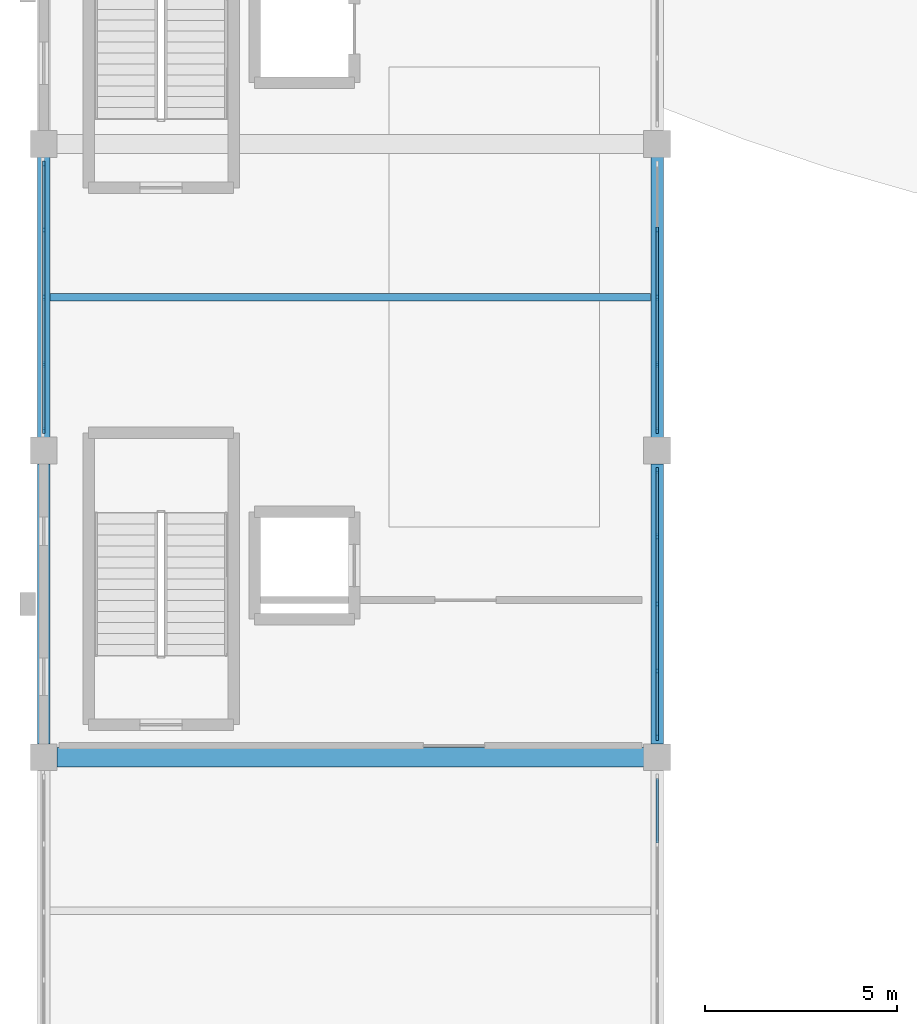
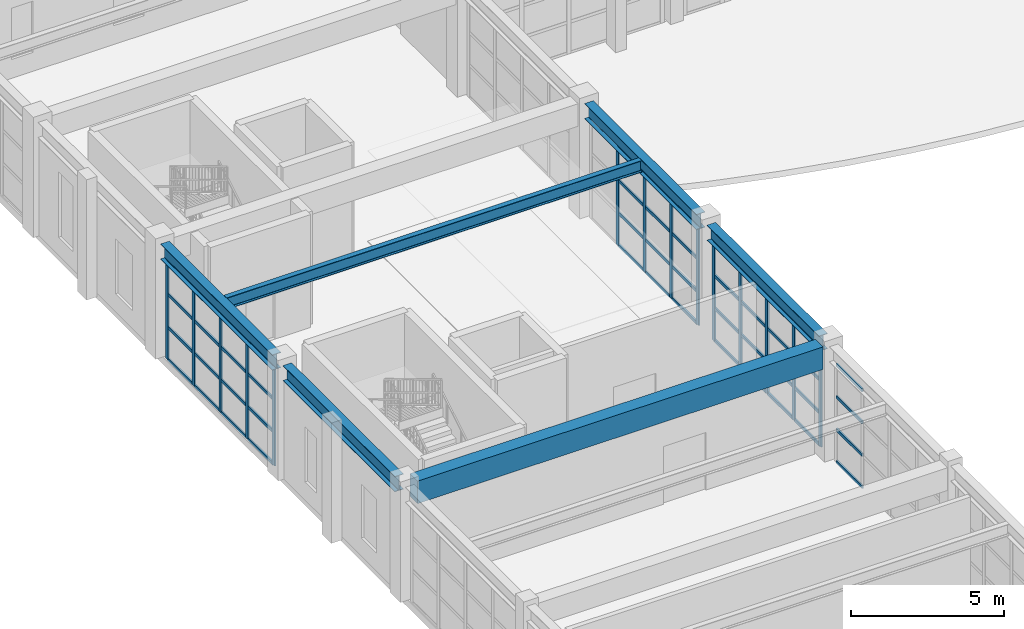
# One storey, part 4 of 59: 62 members, 6 beams, 4 elements without a shape of their own.
"""IFC4 building model written with IfcOpenShell, lengths in metres."""

from ifc_helpers import new_model, si_unit, direction, frame, origin, origin_2d, place, context, subcontext, project, spatial, rectangle, i_section, extrude, material, material_profile, profile_set, type_object, element, aggregate, save


model = new_model("IFC4")

# Units and contexts
model_context = context("Model", 3, precision=1e-05, world=origin(), true_north=direction((0.0, 1.0)))
body_context = subcontext(model_context, "Body", "Model", "MODEL_VIEW")
ifc_project = project(units=[si_unit("LENGTHUNIT", "METRE"), si_unit("AREAUNIT", "SQUARE_METRE"), si_unit("VOLUMEUNIT", "CUBIC_METRE"), si_unit("PLANEANGLEUNIT", "RADIAN"), si_unit("MASSUNIT", "GRAM", prefix="KILO")], contexts=[model_context])

# Site, building, storey
site_placement = place(None, origin())
site = spatial("IfcSite", under=ifc_project, at=site_placement, CompositionType="ELEMENT")
building_placement = place(site_placement, origin())
building = spatial("IfcBuilding", under=site, at=building_placement, Name="Serraluz Foothill Cableway Terminal", CompositionType="ELEMENT")
storey_placement = place(building_placement, frame((0.0, 0.0, 4.800048828125)))
storey = spatial("IfcBuildingStorey", under=building, at=storey_placement, Name="L01", CompositionType="ELEMENT", Elevation=4.800048828125)

# Beams
ifc_material_1 = material(Name="Concrete C35/45 (f'c 35 MPa)", Category="concrete")
ifc_material_profile_1 = material_profile(ifc_material_1, rectangle(XDim=0.5, YDim=0.89990234375, at=origin_2d()), Name="RC 500x900")
ifc_profile_set_1 = profile_set([ifc_material_profile_1], Name="Concrete C35/45 (f'c 35 MPa)")
beam_type_1 = type_object("IfcBeamType", Name="TYP-BM-RC500X900", PredefinedType="BEAM", material=ifc_profile_set_1)
beam_1_placement = place(storey_placement, frame((0.345947265625, 32.0, 4.08984375), z_axis=(1.0, 0.0, 0.0), x_axis=(0.0, 1.0, 0.0)))
element("IfcBeam", 1, at=beam_1_placement, inside=storey, type_object=beam_type_1, Name="Primary Girder BM-X-L01-0193", PredefinedType="BEAM", context=body_context, shape_type="SweptSolid", body=[
    extrude(rectangle(XDim=0.5, YDim=0.89990234375, at=origin_2d()), origin(), (0.0, 0.0, 1.0), 15.30810546875),
])
ifc_material_2 = material(Name="Steel ASTM A992 Grade 50", Category="steel")
ifc_material_profile_2 = material_profile(ifc_material_2, i_section(OverallWidth=0.324951171875, OverallDepth=0.615966796875, WebThickness=0.013916015625, FlangeThickness=0.021484375, FilletRadius=0.01806640625, at=origin_2d()), Name="W24X117")
ifc_profile_set_2 = profile_set([ifc_material_profile_2], Name="Steel ASTM A992 Grade 50")
beam_type_2 = type_object("IfcBeamType", Name="TYP-BM-W24X117", PredefinedType="BEAM", material=ifc_profile_set_2)
for number, where, z_axis, x_axis, name in (
    (2, (0.0, 32.345947265625, 4.23193359375), (0.0, 1.0, 0.0), (-1.0, 0.0, 0.0), "Transverse Girder BM-Y-L01-0243"),
    (3, (0.0, 40.345947265625, 4.23193359375), (0.0, 1.0, 0.0), (-1.0, 0.0, 0.0), "Transverse Girder BM-Y-L01-0244"),
    (4, (16.0, 32.345947265625, 4.23193359375), (0.0, 1.0, 0.0), (-1.0, 0.0, 0.0), "Transverse Girder BM-Y-L01-0249"),
    (5, (16.0, 40.345947265625, 4.23193359375), (0.0, 1.0, 0.0), (-1.0, 0.0, 0.0), "Transverse Girder BM-Y-L01-0250"),
):
    element("IfcBeam", number, at=place(storey_placement, frame(where, z_axis=z_axis, x_axis=x_axis)), inside=storey, type_object=beam_type_2, Name=name, PredefinedType="BEAM", context=body_context, shape_type="SweptSolid", body=[
        extrude(i_section(OverallWidth=0.324951171875, OverallDepth=0.615966796875, WebThickness=0.013916015625, FlangeThickness=0.021484375, FilletRadius=0.01806640625, at=origin_2d()), origin(), (0.0, 0.0, 1.0), 7.30810546875),
    ])

# Curtain wall, members
ifc_material_3 = material(Name="Architectural bronze alloy C28000", Category="aluminium")
curtain_wall_type_1 = type_object("IfcCurtainWallType", Name="TYP-CW-680X420", PredefinedType="NOTDEFINED", material=ifc_material_3)
curtain_wall_1_placement = place(storey_placement, origin())
curtain_wall_1 = element("IfcCurtainWall", 6, at=curtain_wall_1_placement, inside=storey, type_object=curtain_wall_type_1, Name="Ribbed Glazed Curtain Wall CW-V5E-L01-32", PredefinedType="NOTDEFINED")
ifc_material_profile_3 = material_profile(ifc_material_3, rectangle(XDim=0.06005859375, YDim=0.159912109375, at=origin_2d()), Name="ALU MULLION 60x160")
ifc_profile_set_3 = profile_set([ifc_material_profile_3], Name="Architectural bronze alloy C28000")
member_type_1 = type_object("IfcMemberType", Name="TYP-CW-MUL-60X160", PredefinedType="MULLION", material=ifc_profile_set_3)
member_1_placement = place(storey_placement, frame((16.0, 39.47998046875, 0.0), z_axis=(0.0, 0.0, 1.0), x_axis=(1.0, 0.0, 0.0)))
member_1 = element("IfcMember", 7, at=member_1_placement, type_object=member_type_1, Name="CW-13 mullion 1", PredefinedType="MULLION", context=body_context, shape_type="SweptSolid", body=[
    extrude(rectangle(XDim=0.06005859375, YDim=0.159912109375, at=origin_2d()), origin(), (0.0, 0.0, 1.0), 3.924072265625),
])
member_2_placement = place(storey_placement, frame((16.0, 37.7548828125, 0.0), z_axis=(0.0, 0.0, 1.0), x_axis=(1.0, 0.0, 0.0)))
member_2 = element("IfcMember", 8, at=member_2_placement, type_object=member_type_1, Name="CW-13 mullion 2", PredefinedType="MULLION", context=body_context, shape_type="SweptSolid", body=[
    extrude(rectangle(XDim=0.06005859375, YDim=0.159912109375, at=origin_2d()), origin(), (0.0, 0.0, 1.0), 3.924072265625),
])
member_3_placement = place(storey_placement, frame((16.0, 36.0, 0.0), z_axis=(0.0, 0.0, 1.0), x_axis=(1.0, 0.0, 0.0)))
member_3 = element("IfcMember", 9, at=member_3_placement, type_object=member_type_1, Name="CW-13 mullion 3", PredefinedType="MULLION", context=body_context, shape_type="SweptSolid", body=[
    extrude(rectangle(XDim=0.06005859375, YDim=0.159912109375, at=origin_2d()), origin(), (0.0, 0.0, 1.0), 3.924072265625),
])
member_4_placement = place(storey_placement, frame((16.0, 34.2451171875, 0.0), z_axis=(0.0, 0.0, 1.0), x_axis=(1.0, 0.0, 0.0)))
member_4 = element("IfcMember", 10, at=member_4_placement, type_object=member_type_1, Name="CW-13 mullion 4", PredefinedType="MULLION", context=body_context, shape_type="SweptSolid", body=[
    extrude(rectangle(XDim=0.06005859375, YDim=0.159912109375, at=origin_2d()), origin(), (0.0, 0.0, 1.0), 3.924072265625),
])
member_5_placement = place(storey_placement, frame((16.0, 32.52001953125, 0.0), z_axis=(0.0, 0.0, 1.0), x_axis=(1.0, 0.0, 0.0)))
member_5 = element("IfcMember", 11, at=member_5_placement, type_object=member_type_1, Name="CW-13 mullion 5", PredefinedType="MULLION", context=body_context, shape_type="SweptSolid", body=[
    extrude(rectangle(XDim=0.06005859375, YDim=0.159912109375, at=origin_2d()), origin(), (0.0, 0.0, 1.0), 3.924072265625),
])

curtain_wall_type_2 = type_object("IfcCurtainWallType", Name="TYP-CW-520X440", PredefinedType="NOTDEFINED", material=ifc_material_3)
curtain_wall_2_placement = place(storey_placement, origin())
curtain_wall_2 = element("IfcCurtainWall", 12, at=curtain_wall_2_placement, inside=storey, type_object=curtain_wall_type_2, Name="Ribbed Glazed Curtain Wall CW-V5W-L01-40", PredefinedType="NOTDEFINED")
member_6_placement = place(storey_placement, frame((0.0, 40.52001953125, 0.0), z_axis=(0.0, 0.0, 1.0), x_axis=(-1.0, 0.0, 0.0)))
member_6 = element("IfcMember", 13, at=member_6_placement, type_object=member_type_1, Name="CW-08 mullion 1", PredefinedType="MULLION", context=body_context, shape_type="SweptSolid", body=[
    extrude(rectangle(XDim=0.06005859375, YDim=0.159912109375, at=origin_2d()), origin(), (0.0, 0.0, 1.0), 3.924072265625),
])
member_7_placement = place(storey_placement, frame((0.0, 42.2451171875, 0.0), z_axis=(0.0, 0.0, 1.0), x_axis=(-1.0, 0.0, 0.0)))
member_7 = element("IfcMember", 14, at=member_7_placement, type_object=member_type_1, Name="CW-08 mullion 2", PredefinedType="MULLION", context=body_context, shape_type="SweptSolid", body=[
    extrude(rectangle(XDim=0.06005859375, YDim=0.159912109375, at=origin_2d()), origin(), (0.0, 0.0, 1.0), 3.924072265625),
])
member_8_placement = place(storey_placement, frame((0.0, 44.0, 0.0), z_axis=(0.0, 0.0, 1.0), x_axis=(-1.0, 0.0, 0.0)))
member_8 = element("IfcMember", 15, at=member_8_placement, type_object=member_type_1, Name="CW-08 mullion 3", PredefinedType="MULLION", context=body_context, shape_type="SweptSolid", body=[
    extrude(rectangle(XDim=0.06005859375, YDim=0.159912109375, at=origin_2d()), origin(), (0.0, 0.0, 1.0), 3.924072265625),
])
member_9_placement = place(storey_placement, frame((0.0, 45.7548828125, 0.0), z_axis=(0.0, 0.0, 1.0), x_axis=(-1.0, 0.0, 0.0)))
member_9 = element("IfcMember", 16, at=member_9_placement, type_object=member_type_1, Name="CW-08 mullion 4", PredefinedType="MULLION", context=body_context, shape_type="SweptSolid", body=[
    extrude(rectangle(XDim=0.06005859375, YDim=0.159912109375, at=origin_2d()), origin(), (0.0, 0.0, 1.0), 3.924072265625),
])
member_10_placement = place(storey_placement, frame((0.0, 47.47998046875, 0.0), z_axis=(0.0, 0.0, 1.0), x_axis=(-1.0, 0.0, 0.0)))
member_10 = element("IfcMember", 17, at=member_10_placement, type_object=member_type_1, Name="CW-08 mullion 5", PredefinedType="MULLION", context=body_context, shape_type="SweptSolid", body=[
    extrude(rectangle(XDim=0.06005859375, YDim=0.159912109375, at=origin_2d()), origin(), (0.0, 0.0, 1.0), 3.924072265625),
])

curtain_wall_type_3 = type_object("IfcCurtainWallType", Name="TYP-CW-480X380", PredefinedType="NOTDEFINED", material=ifc_material_3)
curtain_wall_3_placement = place(storey_placement, origin())
curtain_wall_3 = element("IfcCurtainWall", 18, at=curtain_wall_3_placement, inside=storey, type_object=curtain_wall_type_3, Name="Ribbed Glazed Curtain Wall CW-V5E-L01-40", PredefinedType="NOTDEFINED")
member_11_placement = place(storey_placement, frame((16.0, 45.7548828125, 0.0), z_axis=(0.0, 0.0, 1.0), x_axis=(1.0, 0.0, 0.0)))
member_11 = element("IfcMember", 19, at=member_11_placement, type_object=member_type_1, Name="CW-14 mullion 2", PredefinedType="MULLION", context=body_context, shape_type="SweptSolid", body=[
    extrude(rectangle(XDim=0.06005859375, YDim=0.159912109375, at=origin_2d()), origin(), (0.0, 0.0, 1.0), 3.924072265625),
])
member_12_placement = place(storey_placement, frame((16.0, 44.0, 0.0), z_axis=(0.0, 0.0, 1.0), x_axis=(1.0, 0.0, 0.0)))
member_12 = element("IfcMember", 20, at=member_12_placement, type_object=member_type_1, Name="CW-14 mullion 3", PredefinedType="MULLION", context=body_context, shape_type="SweptSolid", body=[
    extrude(rectangle(XDim=0.06005859375, YDim=0.159912109375, at=origin_2d()), origin(), (0.0, 0.0, 1.0), 3.924072265625),
])
member_13_placement = place(storey_placement, frame((16.0, 42.2451171875, 0.0), z_axis=(0.0, 0.0, 1.0), x_axis=(1.0, 0.0, 0.0)))
member_13 = element("IfcMember", 21, at=member_13_placement, type_object=member_type_1, Name="CW-14 mullion 4", PredefinedType="MULLION", context=body_context, shape_type="SweptSolid", body=[
    extrude(rectangle(XDim=0.06005859375, YDim=0.159912109375, at=origin_2d()), origin(), (0.0, 0.0, 1.0), 3.924072265625),
])
member_14_placement = place(storey_placement, frame((16.0, 40.52001953125, 0.0), z_axis=(0.0, 0.0, 1.0), x_axis=(1.0, 0.0, 0.0)))
member_14 = element("IfcMember", 22, at=member_14_placement, type_object=member_type_1, Name="CW-14 mullion 5", PredefinedType="MULLION", context=body_context, shape_type="SweptSolid", body=[
    extrude(rectangle(XDim=0.06005859375, YDim=0.159912109375, at=origin_2d()), origin(), (0.0, 0.0, 1.0), 3.924072265625),
])

curtain_wall_type_4 = type_object("IfcCurtainWallType", Name="TYP-CW-640X440", PredefinedType="NOTDEFINED", material=ifc_material_3)
curtain_wall_4_placement = place(storey_placement, origin())
curtain_wall_4 = element("IfcCurtainWall", 23, at=curtain_wall_4_placement, inside=storey, type_object=curtain_wall_type_4, Name="Ribbed Glazed Curtain Wall CW-V5E-L01-24", PredefinedType="NOTDEFINED")
ifc_material_profile_4 = material_profile(ifc_material_3, rectangle(XDim=0.06005859375, YDim=0.1201171875, at=origin_2d()), Name="ALU TRANSOM 60x120")
ifc_profile_set_4 = profile_set([ifc_material_profile_4], Name="Architectural bronze alloy C28000")
member_type_2 = type_object("IfcMemberType", Name="TYP-CW-TRN-60X120", PredefinedType="USERDEFINED", material=ifc_profile_set_4)
member_15_placement = place(storey_placement, frame((16.0, 31.449951171875, 0.030029296875), z_axis=(0.0, -1.0, 0.0), x_axis=(1.0, 0.0, 0.0)))
member_15 = element("IfcMember", 24, at=member_15_placement, type_object=member_type_2, Name="CW-12 transom 1.1", ObjectType="TRANSOM", PredefinedType="USERDEFINED", context=body_context, shape_type="SweptSolid", body=[
    extrude(rectangle(XDim=0.06005859375, YDim=0.1201171875, at=origin_2d()), origin(), (0.0, 0.0, 1.0), 1.68359375),
])
member_16_placement = place(storey_placement, frame((16.0, 31.449951171875, 1.307861328125), z_axis=(0.0, -1.0, 0.0), x_axis=(1.0, 0.0, 0.0)))
member_16 = element("IfcMember", 25, at=member_16_placement, type_object=member_type_2, Name="CW-12 transom 1.2", ObjectType="TRANSOM", PredefinedType="USERDEFINED", context=body_context, shape_type="SweptSolid", body=[
    extrude(rectangle(XDim=0.06005859375, YDim=0.1201171875, at=origin_2d()), origin(), (0.0, 0.0, 1.0), 1.68359375),
])
member_17_placement = place(storey_placement, frame((16.0, 31.449951171875, 2.615966796875), z_axis=(0.0, -1.0, 0.0), x_axis=(1.0, 0.0, 0.0)))
member_17 = element("IfcMember", 26, at=member_17_placement, type_object=member_type_2, Name="CW-12 transom 1.3", ObjectType="TRANSOM", PredefinedType="USERDEFINED", context=body_context, shape_type="SweptSolid", body=[
    extrude(rectangle(XDim=0.06005859375, YDim=0.1201171875, at=origin_2d()), origin(), (0.0, 0.0, 1.0), 1.68359375),
])
member_18_placement = place(storey_placement, frame((16.0, 31.449951171875, 3.89404296875), z_axis=(0.0, -1.0, 0.0), x_axis=(1.0, 0.0, 0.0)))
member_18 = element("IfcMember", 27, at=member_18_placement, type_object=member_type_2, Name="CW-12 transom 1.4", ObjectType="TRANSOM", PredefinedType="USERDEFINED", context=body_context, shape_type="SweptSolid", body=[
    extrude(rectangle(XDim=0.06005859375, YDim=0.1201171875, at=origin_2d()), origin(), (0.0, 0.0, 1.0), 1.68359375),
])
aggregate(curtain_wall_4, [member_15, member_16, member_17, member_18])

# Member
member_19_placement = place(storey_placement, frame((16.0, 39.449951171875, 0.030029296875), z_axis=(0.0, -1.0, 0.0), x_axis=(1.0, 0.0, 0.0)))
member_19 = element("IfcMember", 28, at=member_19_placement, type_object=member_type_2, Name="CW-13 transom 1.1", ObjectType="TRANSOM", PredefinedType="USERDEFINED", context=body_context, shape_type="SweptSolid", body=[
    extrude(rectangle(XDim=0.06005859375, YDim=0.1201171875, at=origin_2d()), origin(), (0.0, 0.0, 1.0), 1.6650390625),
])

member_20_placement = place(storey_placement, frame((16.0, 39.449951171875, 1.307861328125), z_axis=(0.0, -1.0, 0.0), x_axis=(1.0, 0.0, 0.0)))
member_20 = element("IfcMember", 29, at=member_20_placement, type_object=member_type_2, Name="CW-13 transom 1.2", ObjectType="TRANSOM", PredefinedType="USERDEFINED", context=body_context, shape_type="SweptSolid", body=[
    extrude(rectangle(XDim=0.06005859375, YDim=0.1201171875, at=origin_2d()), origin(), (0.0, 0.0, 1.0), 1.6650390625),
])

member_21_placement = place(storey_placement, frame((16.0, 39.449951171875, 2.615966796875), z_axis=(0.0, -1.0, 0.0), x_axis=(1.0, 0.0, 0.0)))
member_21 = element("IfcMember", 30, at=member_21_placement, type_object=member_type_2, Name="CW-13 transom 1.3", ObjectType="TRANSOM", PredefinedType="USERDEFINED", context=body_context, shape_type="SweptSolid", body=[
    extrude(rectangle(XDim=0.06005859375, YDim=0.1201171875, at=origin_2d()), origin(), (0.0, 0.0, 1.0), 1.6650390625),
])

member_22_placement = place(storey_placement, frame((16.0, 39.449951171875, 3.89404296875), z_axis=(0.0, -1.0, 0.0), x_axis=(1.0, 0.0, 0.0)))
member_22 = element("IfcMember", 31, at=member_22_placement, type_object=member_type_2, Name="CW-13 transom 1.4", ObjectType="TRANSOM", PredefinedType="USERDEFINED", context=body_context, shape_type="SweptSolid", body=[
    extrude(rectangle(XDim=0.06005859375, YDim=0.1201171875, at=origin_2d()), origin(), (0.0, 0.0, 1.0), 1.6650390625),
])

member_23_placement = place(storey_placement, frame((16.0, 37.72509765625, 0.030029296875), z_axis=(0.0, -1.0, 0.0), x_axis=(1.0, 0.0, 0.0)))
member_23 = element("IfcMember", 32, at=member_23_placement, type_object=member_type_2, Name="CW-13 transom 2.1", ObjectType="TRANSOM", PredefinedType="USERDEFINED", context=body_context, shape_type="SweptSolid", body=[
    extrude(rectangle(XDim=0.06005859375, YDim=0.1201171875, at=origin_2d()), origin(), (0.0, 0.0, 1.0), 1.695068359375),
])

member_24_placement = place(storey_placement, frame((16.0, 37.72509765625, 1.307861328125), z_axis=(0.0, -1.0, 0.0), x_axis=(1.0, 0.0, 0.0)))
member_24 = element("IfcMember", 33, at=member_24_placement, type_object=member_type_2, Name="CW-13 transom 2.2", ObjectType="TRANSOM", PredefinedType="USERDEFINED", context=body_context, shape_type="SweptSolid", body=[
    extrude(rectangle(XDim=0.06005859375, YDim=0.1201171875, at=origin_2d()), origin(), (0.0, 0.0, 1.0), 1.695068359375),
])

member_25_placement = place(storey_placement, frame((16.0, 37.72509765625, 2.615966796875), z_axis=(0.0, -1.0, 0.0), x_axis=(1.0, 0.0, 0.0)))
member_25 = element("IfcMember", 34, at=member_25_placement, type_object=member_type_2, Name="CW-13 transom 2.3", ObjectType="TRANSOM", PredefinedType="USERDEFINED", context=body_context, shape_type="SweptSolid", body=[
    extrude(rectangle(XDim=0.06005859375, YDim=0.1201171875, at=origin_2d()), origin(), (0.0, 0.0, 1.0), 1.695068359375),
])

member_26_placement = place(storey_placement, frame((16.0, 37.72509765625, 3.89404296875), z_axis=(0.0, -1.0, 0.0), x_axis=(1.0, 0.0, 0.0)))
member_26 = element("IfcMember", 35, at=member_26_placement, type_object=member_type_2, Name="CW-13 transom 2.4", ObjectType="TRANSOM", PredefinedType="USERDEFINED", context=body_context, shape_type="SweptSolid", body=[
    extrude(rectangle(XDim=0.06005859375, YDim=0.1201171875, at=origin_2d()), origin(), (0.0, 0.0, 1.0), 1.695068359375),
])

member_27_placement = place(storey_placement, frame((16.0, 35.969970703125, 0.030029296875), z_axis=(0.0, -1.0, 0.0), x_axis=(1.0, 0.0, 0.0)))
member_27 = element("IfcMember", 36, at=member_27_placement, type_object=member_type_2, Name="CW-13 transom 3.1", ObjectType="TRANSOM", PredefinedType="USERDEFINED", context=body_context, shape_type="SweptSolid", body=[
    extrude(rectangle(XDim=0.06005859375, YDim=0.1201171875, at=origin_2d()), origin(), (0.0, 0.0, 1.0), 1.695068359375),
])

member_28_placement = place(storey_placement, frame((16.0, 35.969970703125, 1.307861328125), z_axis=(0.0, -1.0, 0.0), x_axis=(1.0, 0.0, 0.0)))
member_28 = element("IfcMember", 37, at=member_28_placement, type_object=member_type_2, Name="CW-13 transom 3.2", ObjectType="TRANSOM", PredefinedType="USERDEFINED", context=body_context, shape_type="SweptSolid", body=[
    extrude(rectangle(XDim=0.06005859375, YDim=0.1201171875, at=origin_2d()), origin(), (0.0, 0.0, 1.0), 1.695068359375),
])

member_29_placement = place(storey_placement, frame((16.0, 35.969970703125, 2.615966796875), z_axis=(0.0, -1.0, 0.0), x_axis=(1.0, 0.0, 0.0)))
member_29 = element("IfcMember", 38, at=member_29_placement, type_object=member_type_2, Name="CW-13 transom 3.3", ObjectType="TRANSOM", PredefinedType="USERDEFINED", context=body_context, shape_type="SweptSolid", body=[
    extrude(rectangle(XDim=0.06005859375, YDim=0.1201171875, at=origin_2d()), origin(), (0.0, 0.0, 1.0), 1.695068359375),
])

member_30_placement = place(storey_placement, frame((16.0, 35.969970703125, 3.89404296875), z_axis=(0.0, -1.0, 0.0), x_axis=(1.0, 0.0, 0.0)))
member_30 = element("IfcMember", 39, at=member_30_placement, type_object=member_type_2, Name="CW-13 transom 3.4", ObjectType="TRANSOM", PredefinedType="USERDEFINED", context=body_context, shape_type="SweptSolid", body=[
    extrude(rectangle(XDim=0.06005859375, YDim=0.1201171875, at=origin_2d()), origin(), (0.0, 0.0, 1.0), 1.695068359375),
])

member_31_placement = place(storey_placement, frame((16.0, 34.215087890625, 0.030029296875), z_axis=(0.0, -1.0, 0.0), x_axis=(1.0, 0.0, 0.0)))
member_31 = element("IfcMember", 40, at=member_31_placement, type_object=member_type_2, Name="CW-13 transom 4.1", ObjectType="TRANSOM", PredefinedType="USERDEFINED", context=body_context, shape_type="SweptSolid", body=[
    extrude(rectangle(XDim=0.06005859375, YDim=0.1201171875, at=origin_2d()), origin(), (0.0, 0.0, 1.0), 1.6650390625),
])

member_32_placement = place(storey_placement, frame((16.0, 34.215087890625, 1.307861328125), z_axis=(0.0, -1.0, 0.0), x_axis=(1.0, 0.0, 0.0)))
member_32 = element("IfcMember", 41, at=member_32_placement, type_object=member_type_2, Name="CW-13 transom 4.2", ObjectType="TRANSOM", PredefinedType="USERDEFINED", context=body_context, shape_type="SweptSolid", body=[
    extrude(rectangle(XDim=0.06005859375, YDim=0.1201171875, at=origin_2d()), origin(), (0.0, 0.0, 1.0), 1.6650390625),
])

member_33_placement = place(storey_placement, frame((16.0, 34.215087890625, 2.615966796875), z_axis=(0.0, -1.0, 0.0), x_axis=(1.0, 0.0, 0.0)))
member_33 = element("IfcMember", 42, at=member_33_placement, type_object=member_type_2, Name="CW-13 transom 4.3", ObjectType="TRANSOM", PredefinedType="USERDEFINED", context=body_context, shape_type="SweptSolid", body=[
    extrude(rectangle(XDim=0.06005859375, YDim=0.1201171875, at=origin_2d()), origin(), (0.0, 0.0, 1.0), 1.6650390625),
])

member_34_placement = place(storey_placement, frame((16.0, 34.215087890625, 3.89404296875), z_axis=(0.0, -1.0, 0.0), x_axis=(1.0, 0.0, 0.0)))
member_34 = element("IfcMember", 43, at=member_34_placement, type_object=member_type_2, Name="CW-13 transom 4.4", ObjectType="TRANSOM", PredefinedType="USERDEFINED", context=body_context, shape_type="SweptSolid", body=[
    extrude(rectangle(XDim=0.06005859375, YDim=0.1201171875, at=origin_2d()), origin(), (0.0, 0.0, 1.0), 1.6650390625),
])

aggregate(curtain_wall_1, [member_1, member_2, member_3, member_4, member_5, member_19, member_20, member_21, member_22, member_23, member_24, member_25, member_26, member_27, member_28, member_29, member_30, member_31, member_32, member_33, member_34])

member_35_placement = place(storey_placement, frame((0.0, 40.550048828125, 0.030029296875), z_axis=(0.0, 1.0, 0.0), x_axis=(-1.0, 0.0, 0.0)))
member_35 = element("IfcMember", 44, at=member_35_placement, type_object=member_type_2, Name="CW-08 transom 1.1", ObjectType="TRANSOM", PredefinedType="USERDEFINED", context=body_context, shape_type="SweptSolid", body=[
    extrude(rectangle(XDim=0.06005859375, YDim=0.1201171875, at=origin_2d()), origin(), (0.0, 0.0, 1.0), 1.6650390625),
])

member_36_placement = place(storey_placement, frame((0.0, 40.550048828125, 1.307861328125), z_axis=(0.0, 1.0, 0.0), x_axis=(-1.0, 0.0, 0.0)))
member_36 = element("IfcMember", 45, at=member_36_placement, type_object=member_type_2, Name="CW-08 transom 1.2", ObjectType="TRANSOM", PredefinedType="USERDEFINED", context=body_context, shape_type="SweptSolid", body=[
    extrude(rectangle(XDim=0.06005859375, YDim=0.1201171875, at=origin_2d()), origin(), (0.0, 0.0, 1.0), 1.6650390625),
])

member_37_placement = place(storey_placement, frame((0.0, 40.550048828125, 2.615966796875), z_axis=(0.0, 1.0, 0.0), x_axis=(-1.0, 0.0, 0.0)))
member_37 = element("IfcMember", 46, at=member_37_placement, type_object=member_type_2, Name="CW-08 transom 1.3", ObjectType="TRANSOM", PredefinedType="USERDEFINED", context=body_context, shape_type="SweptSolid", body=[
    extrude(rectangle(XDim=0.06005859375, YDim=0.1201171875, at=origin_2d()), origin(), (0.0, 0.0, 1.0), 1.6650390625),
])

member_38_placement = place(storey_placement, frame((0.0, 40.550048828125, 3.89404296875), z_axis=(0.0, 1.0, 0.0), x_axis=(-1.0, 0.0, 0.0)))
member_38 = element("IfcMember", 47, at=member_38_placement, type_object=member_type_2, Name="CW-08 transom 1.4", ObjectType="TRANSOM", PredefinedType="USERDEFINED", context=body_context, shape_type="SweptSolid", body=[
    extrude(rectangle(XDim=0.06005859375, YDim=0.1201171875, at=origin_2d()), origin(), (0.0, 0.0, 1.0), 1.6650390625),
])

member_39_placement = place(storey_placement, frame((0.0, 42.27490234375, 0.030029296875), z_axis=(0.0, 1.0, 0.0), x_axis=(-1.0, 0.0, 0.0)))
member_39 = element("IfcMember", 48, at=member_39_placement, type_object=member_type_2, Name="CW-08 transom 2.1", ObjectType="TRANSOM", PredefinedType="USERDEFINED", context=body_context, shape_type="SweptSolid", body=[
    extrude(rectangle(XDim=0.06005859375, YDim=0.1201171875, at=origin_2d()), origin(), (0.0, 0.0, 1.0), 1.695068359375),
])

member_40_placement = place(storey_placement, frame((0.0, 42.27490234375, 1.307861328125), z_axis=(0.0, 1.0, 0.0), x_axis=(-1.0, 0.0, 0.0)))
member_40 = element("IfcMember", 49, at=member_40_placement, type_object=member_type_2, Name="CW-08 transom 2.2", ObjectType="TRANSOM", PredefinedType="USERDEFINED", context=body_context, shape_type="SweptSolid", body=[
    extrude(rectangle(XDim=0.06005859375, YDim=0.1201171875, at=origin_2d()), origin(), (0.0, 0.0, 1.0), 1.695068359375),
])

member_41_placement = place(storey_placement, frame((0.0, 42.27490234375, 2.615966796875), z_axis=(0.0, 1.0, 0.0), x_axis=(-1.0, 0.0, 0.0)))
member_41 = element("IfcMember", 50, at=member_41_placement, type_object=member_type_2, Name="CW-08 transom 2.3", ObjectType="TRANSOM", PredefinedType="USERDEFINED", context=body_context, shape_type="SweptSolid", body=[
    extrude(rectangle(XDim=0.06005859375, YDim=0.1201171875, at=origin_2d()), origin(), (0.0, 0.0, 1.0), 1.695068359375),
])

member_42_placement = place(storey_placement, frame((0.0, 42.27490234375, 3.89404296875), z_axis=(0.0, 1.0, 0.0), x_axis=(-1.0, 0.0, 0.0)))
member_42 = element("IfcMember", 51, at=member_42_placement, type_object=member_type_2, Name="CW-08 transom 2.4", ObjectType="TRANSOM", PredefinedType="USERDEFINED", context=body_context, shape_type="SweptSolid", body=[
    extrude(rectangle(XDim=0.06005859375, YDim=0.1201171875, at=origin_2d()), origin(), (0.0, 0.0, 1.0), 1.695068359375),
])

member_43_placement = place(storey_placement, frame((0.0, 44.030029296875, 0.030029296875), z_axis=(0.0, 1.0, 0.0), x_axis=(-1.0, 0.0, 0.0)))
member_43 = element("IfcMember", 52, at=member_43_placement, type_object=member_type_2, Name="CW-08 transom 3.1", ObjectType="TRANSOM", PredefinedType="USERDEFINED", context=body_context, shape_type="SweptSolid", body=[
    extrude(rectangle(XDim=0.06005859375, YDim=0.1201171875, at=origin_2d()), origin(), (0.0, 0.0, 1.0), 1.695068359375),
])

member_44_placement = place(storey_placement, frame((0.0, 44.030029296875, 1.307861328125), z_axis=(0.0, 1.0, 0.0), x_axis=(-1.0, 0.0, 0.0)))
member_44 = element("IfcMember", 53, at=member_44_placement, type_object=member_type_2, Name="CW-08 transom 3.2", ObjectType="TRANSOM", PredefinedType="USERDEFINED", context=body_context, shape_type="SweptSolid", body=[
    extrude(rectangle(XDim=0.06005859375, YDim=0.1201171875, at=origin_2d()), origin(), (0.0, 0.0, 1.0), 1.695068359375),
])

member_45_placement = place(storey_placement, frame((0.0, 44.030029296875, 2.615966796875), z_axis=(0.0, 1.0, 0.0), x_axis=(-1.0, 0.0, 0.0)))
member_45 = element("IfcMember", 54, at=member_45_placement, type_object=member_type_2, Name="CW-08 transom 3.3", ObjectType="TRANSOM", PredefinedType="USERDEFINED", context=body_context, shape_type="SweptSolid", body=[
    extrude(rectangle(XDim=0.06005859375, YDim=0.1201171875, at=origin_2d()), origin(), (0.0, 0.0, 1.0), 1.695068359375),
])

member_46_placement = place(storey_placement, frame((0.0, 44.030029296875, 3.89404296875), z_axis=(0.0, 1.0, 0.0), x_axis=(-1.0, 0.0, 0.0)))
member_46 = element("IfcMember", 55, at=member_46_placement, type_object=member_type_2, Name="CW-08 transom 3.4", ObjectType="TRANSOM", PredefinedType="USERDEFINED", context=body_context, shape_type="SweptSolid", body=[
    extrude(rectangle(XDim=0.06005859375, YDim=0.1201171875, at=origin_2d()), origin(), (0.0, 0.0, 1.0), 1.695068359375),
])

member_47_placement = place(storey_placement, frame((0.0, 45.784912109375, 0.030029296875), z_axis=(0.0, 1.0, 0.0), x_axis=(-1.0, 0.0, 0.0)))
member_47 = element("IfcMember", 56, at=member_47_placement, type_object=member_type_2, Name="CW-08 transom 4.1", ObjectType="TRANSOM", PredefinedType="USERDEFINED", context=body_context, shape_type="SweptSolid", body=[
    extrude(rectangle(XDim=0.06005859375, YDim=0.1201171875, at=origin_2d()), origin(), (0.0, 0.0, 1.0), 1.6650390625),
])

member_48_placement = place(storey_placement, frame((0.0, 45.784912109375, 1.307861328125), z_axis=(0.0, 1.0, 0.0), x_axis=(-1.0, 0.0, 0.0)))
member_48 = element("IfcMember", 57, at=member_48_placement, type_object=member_type_2, Name="CW-08 transom 4.2", ObjectType="TRANSOM", PredefinedType="USERDEFINED", context=body_context, shape_type="SweptSolid", body=[
    extrude(rectangle(XDim=0.06005859375, YDim=0.1201171875, at=origin_2d()), origin(), (0.0, 0.0, 1.0), 1.6650390625),
])

member_49_placement = place(storey_placement, frame((0.0, 45.784912109375, 2.615966796875), z_axis=(0.0, 1.0, 0.0), x_axis=(-1.0, 0.0, 0.0)))
member_49 = element("IfcMember", 58, at=member_49_placement, type_object=member_type_2, Name="CW-08 transom 4.3", ObjectType="TRANSOM", PredefinedType="USERDEFINED", context=body_context, shape_type="SweptSolid", body=[
    extrude(rectangle(XDim=0.06005859375, YDim=0.1201171875, at=origin_2d()), origin(), (0.0, 0.0, 1.0), 1.6650390625),
])

member_50_placement = place(storey_placement, frame((0.0, 45.784912109375, 3.89404296875), z_axis=(0.0, 1.0, 0.0), x_axis=(-1.0, 0.0, 0.0)))
member_50 = element("IfcMember", 59, at=member_50_placement, type_object=member_type_2, Name="CW-08 transom 4.4", ObjectType="TRANSOM", PredefinedType="USERDEFINED", context=body_context, shape_type="SweptSolid", body=[
    extrude(rectangle(XDim=0.06005859375, YDim=0.1201171875, at=origin_2d()), origin(), (0.0, 0.0, 1.0), 1.6650390625),
])

aggregate(curtain_wall_2, [member_6, member_7, member_8, member_9, member_10, member_35, member_36, member_37, member_38, member_39, member_40, member_41, member_42, member_43, member_44, member_45, member_46, member_47, member_48, member_49, member_50])

member_51_placement = place(storey_placement, frame((16.0, 45.72509765625, 0.030029296875), z_axis=(0.0, -1.0, 0.0), x_axis=(1.0, 0.0, 0.0)))
member_51 = element("IfcMember", 60, at=member_51_placement, type_object=member_type_2, Name="CW-14 transom 2.1", ObjectType="TRANSOM", PredefinedType="USERDEFINED", context=body_context, shape_type="SweptSolid", body=[
    extrude(rectangle(XDim=0.06005859375, YDim=0.1201171875, at=origin_2d()), origin(), (0.0, 0.0, 1.0), 1.695068359375),
])

member_52_placement = place(storey_placement, frame((16.0, 45.72509765625, 1.307861328125), z_axis=(0.0, -1.0, 0.0), x_axis=(1.0, 0.0, 0.0)))
member_52 = element("IfcMember", 61, at=member_52_placement, type_object=member_type_2, Name="CW-14 transom 2.2", ObjectType="TRANSOM", PredefinedType="USERDEFINED", context=body_context, shape_type="SweptSolid", body=[
    extrude(rectangle(XDim=0.06005859375, YDim=0.1201171875, at=origin_2d()), origin(), (0.0, 0.0, 1.0), 1.695068359375),
])

member_53_placement = place(storey_placement, frame((16.0, 45.72509765625, 2.615966796875), z_axis=(0.0, -1.0, 0.0), x_axis=(1.0, 0.0, 0.0)))
member_53 = element("IfcMember", 62, at=member_53_placement, type_object=member_type_2, Name="CW-14 transom 2.3", ObjectType="TRANSOM", PredefinedType="USERDEFINED", context=body_context, shape_type="SweptSolid", body=[
    extrude(rectangle(XDim=0.06005859375, YDim=0.1201171875, at=origin_2d()), origin(), (0.0, 0.0, 1.0), 1.695068359375),
])

member_54_placement = place(storey_placement, frame((16.0, 45.72509765625, 3.89404296875), z_axis=(0.0, -1.0, 0.0), x_axis=(1.0, 0.0, 0.0)))
member_54 = element("IfcMember", 63, at=member_54_placement, type_object=member_type_2, Name="CW-14 transom 2.4", ObjectType="TRANSOM", PredefinedType="USERDEFINED", context=body_context, shape_type="SweptSolid", body=[
    extrude(rectangle(XDim=0.06005859375, YDim=0.1201171875, at=origin_2d()), origin(), (0.0, 0.0, 1.0), 1.695068359375),
])

member_55_placement = place(storey_placement, frame((16.0, 43.969970703125, 0.030029296875), z_axis=(0.0, -1.0, 0.0), x_axis=(1.0, 0.0, 0.0)))
member_55 = element("IfcMember", 64, at=member_55_placement, type_object=member_type_2, Name="CW-14 transom 3.1", ObjectType="TRANSOM", PredefinedType="USERDEFINED", context=body_context, shape_type="SweptSolid", body=[
    extrude(rectangle(XDim=0.06005859375, YDim=0.1201171875, at=origin_2d()), origin(), (0.0, 0.0, 1.0), 1.695068359375),
])

member_56_placement = place(storey_placement, frame((16.0, 43.969970703125, 1.307861328125), z_axis=(0.0, -1.0, 0.0), x_axis=(1.0, 0.0, 0.0)))
member_56 = element("IfcMember", 65, at=member_56_placement, type_object=member_type_2, Name="CW-14 transom 3.2", ObjectType="TRANSOM", PredefinedType="USERDEFINED", context=body_context, shape_type="SweptSolid", body=[
    extrude(rectangle(XDim=0.06005859375, YDim=0.1201171875, at=origin_2d()), origin(), (0.0, 0.0, 1.0), 1.695068359375),
])

member_57_placement = place(storey_placement, frame((16.0, 43.969970703125, 2.615966796875), z_axis=(0.0, -1.0, 0.0), x_axis=(1.0, 0.0, 0.0)))
member_57 = element("IfcMember", 66, at=member_57_placement, type_object=member_type_2, Name="CW-14 transom 3.3", ObjectType="TRANSOM", PredefinedType="USERDEFINED", context=body_context, shape_type="SweptSolid", body=[
    extrude(rectangle(XDim=0.06005859375, YDim=0.1201171875, at=origin_2d()), origin(), (0.0, 0.0, 1.0), 1.695068359375),
])

member_58_placement = place(storey_placement, frame((16.0, 43.969970703125, 3.89404296875), z_axis=(0.0, -1.0, 0.0), x_axis=(1.0, 0.0, 0.0)))
member_58 = element("IfcMember", 67, at=member_58_placement, type_object=member_type_2, Name="CW-14 transom 3.4", ObjectType="TRANSOM", PredefinedType="USERDEFINED", context=body_context, shape_type="SweptSolid", body=[
    extrude(rectangle(XDim=0.06005859375, YDim=0.1201171875, at=origin_2d()), origin(), (0.0, 0.0, 1.0), 1.695068359375),
])

member_59_placement = place(storey_placement, frame((16.0, 42.215087890625, 0.030029296875), z_axis=(0.0, -1.0, 0.0), x_axis=(1.0, 0.0, 0.0)))
member_59 = element("IfcMember", 68, at=member_59_placement, type_object=member_type_2, Name="CW-14 transom 4.1", ObjectType="TRANSOM", PredefinedType="USERDEFINED", context=body_context, shape_type="SweptSolid", body=[
    extrude(rectangle(XDim=0.06005859375, YDim=0.1201171875, at=origin_2d()), origin(), (0.0, 0.0, 1.0), 1.6650390625),
])

member_60_placement = place(storey_placement, frame((16.0, 42.215087890625, 1.307861328125), z_axis=(0.0, -1.0, 0.0), x_axis=(1.0, 0.0, 0.0)))
member_60 = element("IfcMember", 69, at=member_60_placement, type_object=member_type_2, Name="CW-14 transom 4.2", ObjectType="TRANSOM", PredefinedType="USERDEFINED", context=body_context, shape_type="SweptSolid", body=[
    extrude(rectangle(XDim=0.06005859375, YDim=0.1201171875, at=origin_2d()), origin(), (0.0, 0.0, 1.0), 1.6650390625),
])

member_61_placement = place(storey_placement, frame((16.0, 42.215087890625, 2.615966796875), z_axis=(0.0, -1.0, 0.0), x_axis=(1.0, 0.0, 0.0)))
member_61 = element("IfcMember", 70, at=member_61_placement, type_object=member_type_2, Name="CW-14 transom 4.3", ObjectType="TRANSOM", PredefinedType="USERDEFINED", context=body_context, shape_type="SweptSolid", body=[
    extrude(rectangle(XDim=0.06005859375, YDim=0.1201171875, at=origin_2d()), origin(), (0.0, 0.0, 1.0), 1.6650390625),
])

member_62_placement = place(storey_placement, frame((16.0, 42.215087890625, 3.89404296875), z_axis=(0.0, -1.0, 0.0), x_axis=(1.0, 0.0, 0.0)))
member_62 = element("IfcMember", 71, at=member_62_placement, type_object=member_type_2, Name="CW-14 transom 4.4", ObjectType="TRANSOM", PredefinedType="USERDEFINED", context=body_context, shape_type="SweptSolid", body=[
    extrude(rectangle(XDim=0.06005859375, YDim=0.1201171875, at=origin_2d()), origin(), (0.0, 0.0, 1.0), 1.6650390625),
])

aggregate(curtain_wall_3, [member_11, member_12, member_13, member_14, member_51, member_52, member_53, member_54, member_55, member_56, member_57, member_58, member_59, member_60, member_61, member_62])

# Beam
ifc_material_profile_5 = material_profile(ifc_material_2, i_section(OverallWidth=0.193115234375, OverallDepth=0.467041015625, WebThickness=0.011474609375, FlangeThickness=0.01904296875, FilletRadius=0.014892578125, at=origin_2d()), Name="W18X65")
ifc_profile_set_5 = profile_set([ifc_material_profile_5], Name="Steel ASTM A992 Grade 50")
beam_type_3 = type_object("IfcBeamType", Name="TYP-JS-W18X65", PredefinedType="JOIST", material=ifc_profile_set_5)
beam_2_placement = place(storey_placement, frame((0.16748046875, 44.0, 4.306396484375), z_axis=(1.0, 0.0, 0.0), x_axis=(0.0, 1.0, 0.0)))
element("IfcBeam", 72, at=beam_2_placement, inside=storey, type_object=beam_type_3, Name="Secondary Floor Joist JS-L01-0078", PredefinedType="JOIST", context=body_context, shape_type="SweptSolid", body=[
    extrude(i_section(OverallWidth=0.193115234375, OverallDepth=0.467041015625, WebThickness=0.011474609375, FlangeThickness=0.01904296875, FilletRadius=0.014892578125, at=origin_2d()), origin(), (0.0, 0.0, 1.0), 15.6650390625),
])

save(model, "model.ifc")
